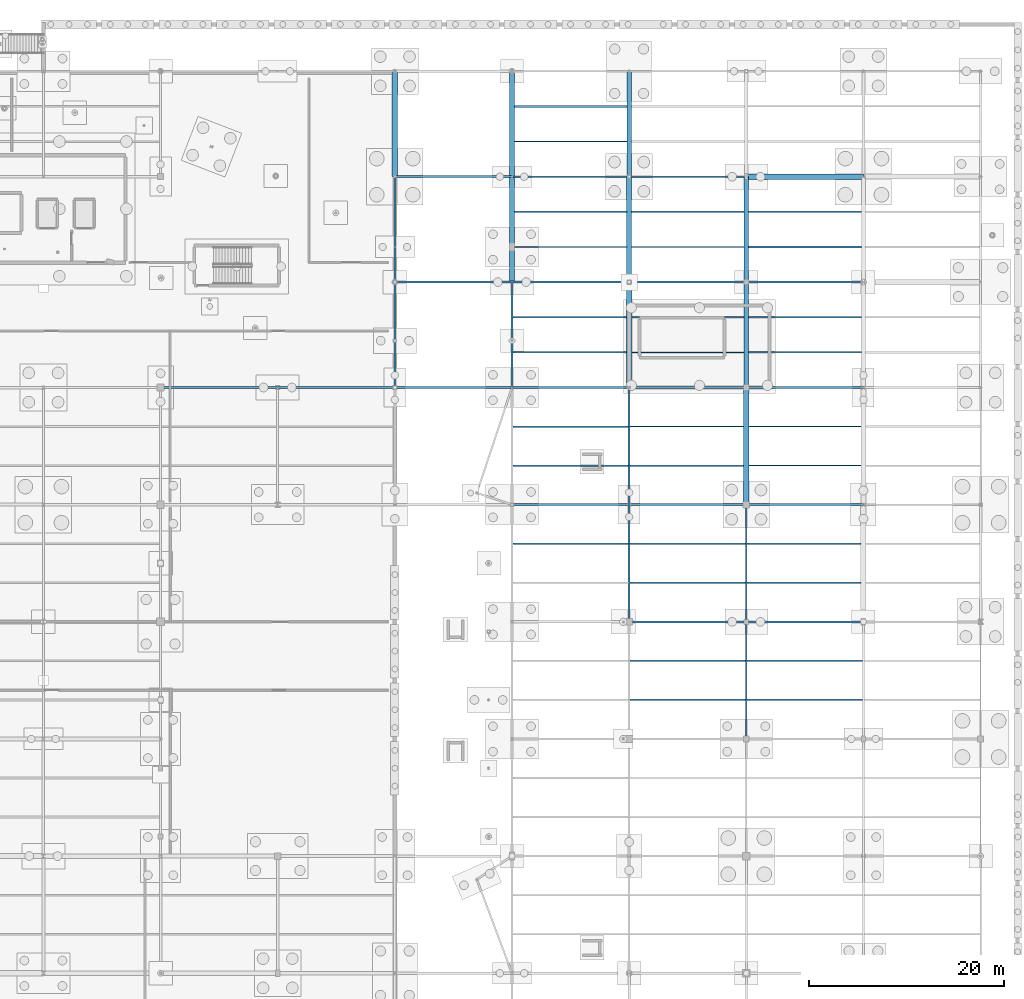
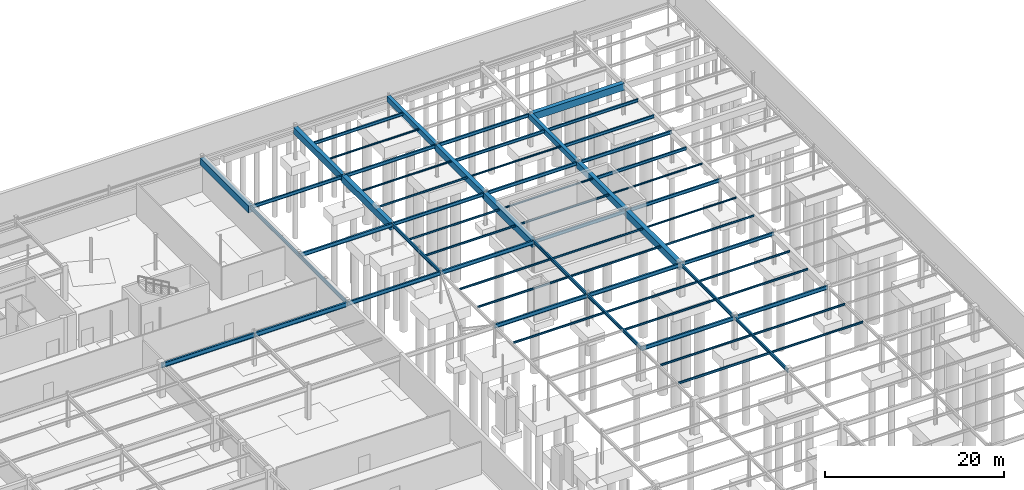
# One storey, part 86 of 136: 64 beams.
"""IFC4 building model written with IfcOpenShell, lengths in metres."""

from ifc_helpers import new_model, si_unit, direction, frame, origin, origin_2d, place, context, subcontext, project, spatial, rectangle, i_section, extrude, material, material_profile, profile_set, type_object, element, save


model = new_model("IFC4")

# Units and contexts
model_context = context("Model", 3, precision=1e-05, world=origin(), true_north=direction((0.0, 1.0)))
body_context = subcontext(model_context, "Body", "Model", "MODEL_VIEW")
ifc_project = project(units=[si_unit("LENGTHUNIT", "METRE"), si_unit("AREAUNIT", "SQUARE_METRE"), si_unit("VOLUMEUNIT", "CUBIC_METRE"), si_unit("PLANEANGLEUNIT", "RADIAN"), si_unit("MASSUNIT", "GRAM", prefix="KILO")], contexts=[model_context])

# Site, building, storey
site_placement = place(None, origin())
site = spatial("IfcSite", under=ifc_project, at=site_placement, CompositionType="ELEMENT")
building_placement = place(site_placement, origin())
building = spatial("IfcBuilding", under=site, at=building_placement, Name="Tarnwether General Hospital", CompositionType="ELEMENT")
storey_placement = place(building_placement, frame((0.0, 0.0, -4.800048828125)))
storey = spatial("IfcBuildingStorey", under=building, at=storey_placement, Name="LG", CompositionType="ELEMENT", Elevation=-4.800048828125)

# Beams
ifc_material_1 = material(Name="Steel Grade 350 (350 MPa)", Category="steel")
ifc_material_profile_1 = material_profile(ifc_material_1, i_section(OverallWidth=0.22802734375, OverallDepth=0.60693359375, WebThickness=0.01123046875, FlangeThickness=0.017333984375, at=origin_2d()), Name="610UB113")
ifc_profile_set_1 = profile_set([ifc_material_profile_1], Name="Steel Grade 350 (350 MPa)")
beam_type_1 = type_object("IfcBeamType", Name="BM-G04", PredefinedType="BEAM", material=ifc_profile_set_1)
beam_1_placement = place(storey_placement, frame((108.0, 93.60009765625, 4.12646484375), z_axis=(1.0, 0.0, 0.0), x_axis=(0.0, 1.0, 0.0)))
element("IfcBeam", 1, at=beam_1_placement, inside=storey, type_object=beam_type_1, Name="Primary Girder BMG-LG-10800_9360-12000_9360-0202", PredefinedType="BEAM", context=body_context, shape_type="SweptSolid", body=[
    extrude(i_section(OverallWidth=0.22802734375, OverallDepth=0.60693359375, WebThickness=0.01123046875, FlangeThickness=0.017333984375, at=origin_2d()), origin(), (0.0, 0.0, 1.0), 12.0),
])
ifc_material_2 = material(Name="Steel Grade 350 (350 MPa)", Category="steel")
ifc_material_profile_2 = material_profile(ifc_material_2, i_section(OverallWidth=0.22802734375, OverallDepth=0.60205078125, WebThickness=0.010498046875, FlangeThickness=0.014892578125, at=origin_2d()), Name="610UB101")
ifc_profile_set_2 = profile_set([ifc_material_profile_2], Name="Steel Grade 350 (350 MPa)")
beam_type_2 = type_object("IfcBeamType", Name="BM-G05", PredefinedType="BEAM", material=ifc_profile_set_2)
beam_2_placement = place(storey_placement, frame((120.0, 93.60009765625, 4.119140625), z_axis=(1.0, 0.0, 0.0), x_axis=(0.0, 1.0, 0.0)))
element("IfcBeam", 2, at=beam_2_placement, inside=storey, type_object=beam_type_2, Name="Primary Girder BMG-LG-12000_9360-13200_9360-0211", PredefinedType="BEAM", context=body_context, shape_type="SweptSolid", body=[
    extrude(i_section(OverallWidth=0.22802734375, OverallDepth=0.60205078125, WebThickness=0.010498046875, FlangeThickness=0.014892578125, at=origin_2d()), origin(), (0.0, 0.0, 1.0), 12.0),
])
ifc_material_3 = material(Name="Steel Grade 350 (350 MPa)", Category="steel")
ifc_material_profile_3 = material_profile(ifc_material_3, i_section(OverallWidth=0.208984375, OverallDepth=0.532958984375, WebThickness=0.01025390625, FlangeThickness=0.015625, at=origin_2d()), Name="530UB92.4")
ifc_profile_set_3 = profile_set([ifc_material_profile_3], Name="Steel Grade 350 (350 MPa)")
beam_type_3 = type_object("IfcBeamType", Name="BM-G06", PredefinedType="BEAM", material=ifc_profile_set_3)
for number, where, z_axis, x_axis, name in (
    (3, (132.0, 93.60009765625, 4.153564453125), (1.0, 0.0, 0.0), (0.0, 1.0, 0.0), "Primary Girder BMG-LG-13200_9360-14400_9360-0224"),
    (4, (144.0, 81.60009765625, 4.153564453125), (1.0, 0.0, 0.0), (0.0, 1.0, 0.0), "Primary Girder BMG-LG-14400_8160-15600_8160-0245"),
    (5, (156.0, 69.60009765625, 4.173583984375), (1.0, 0.0, 0.0), (0.0, 1.0, 0.0), "Primary Girder BMG-LG-15600_6960-16800_6960-0266"),
):
    element("IfcBeam", number, at=place(storey_placement, frame(where, z_axis=z_axis, x_axis=x_axis)), inside=storey, type_object=beam_type_3, Name=name, PredefinedType="BEAM", context=body_context, shape_type="SweptSolid", body=[
        extrude(i_section(OverallWidth=0.208984375, OverallDepth=0.532958984375, WebThickness=0.01025390625, FlangeThickness=0.015625, at=origin_2d()), origin(), (0.0, 0.0, 1.0), 12.0),
    ])
ifc_material_4 = material(Name="Steel Grade 350 (350 MPa)", Category="steel")
ifc_material_profile_4 = material_profile(ifc_material_4, i_section(OverallWidth=0.208984375, OverallDepth=0.528076171875, WebThickness=0.009521484375, FlangeThickness=0.01318359375, at=origin_2d()), Name="530UB82.0")
ifc_profile_set_4 = profile_set([ifc_material_profile_4], Name="Steel Grade 350 (350 MPa)")
beam_type_4 = type_object("IfcBeamType", Name="BM-G07", PredefinedType="BEAM", material=ifc_profile_set_4)
for number, where, z_axis, x_axis, name in (
    (6, (132.0, 104.39990234375, 4.156005859375), (1.0, 0.0, 0.0), (0.0, 1.0, 0.0), "Primary Girder BMG-LG-13200_10440-14400_10440-0226"),
    (7, (144.0, 93.60009765625, 4.156005859375), (1.0, 0.0, 0.0), (0.0, 1.0, 0.0), "Primary Girder BMG-LG-14400_9360-15600_9360-0247"),
    (8, (156.0, 81.60009765625, 4.156005859375), (1.0, 0.0, 0.0), (0.0, 1.0, 0.0), "Primary Girder BMG-LG-15600_8160-16800_8160-0268"),
    (9, (168.0, 69.60009765625, 4.176025390625), (1.0, 0.0, 0.0), (0.0, 1.0, 0.0), "Primary Girder BMG-LG-16800_6960-18000_6960-0289"),
):
    element("IfcBeam", number, at=place(storey_placement, frame(where, z_axis=z_axis, x_axis=x_axis)), inside=storey, type_object=beam_type_4, Name=name, PredefinedType="BEAM", context=body_context, shape_type="SweptSolid", body=[
        extrude(i_section(OverallWidth=0.208984375, OverallDepth=0.528076171875, WebThickness=0.009521484375, FlangeThickness=0.01318359375, at=origin_2d()), origin(), (0.0, 0.0, 1.0), 12.0),
    ])
ifc_material_5 = material(Name="Steel Grade 350 (350 MPa)", Category="steel")
ifc_material_profile_5 = material_profile(ifc_material_5, i_section(OverallWidth=0.19091796875, OverallDepth=0.4599609375, WebThickness=0.010009765625, FlangeThickness=0.01611328125, at=origin_2d()), Name="460UB82.1")
ifc_profile_set_5 = profile_set([ifc_material_profile_5], Name="Steel Grade 350 (350 MPa)")
beam_type_5 = type_object("IfcBeamType", Name="BM-G08", PredefinedType="BEAM", material=ifc_profile_set_5)
for number, where, z_axis, x_axis, name in (
    (10, (132.0, 115.199951171875, 4.18994140625), (1.0, 0.0, 0.0), (0.0, 1.0, 0.0), "Primary Girder BMG-LG-13200_11520-14400_11520-0228"),
    (11, (144.0, 104.39990234375, 4.18994140625), (1.0, 0.0, 0.0), (0.0, 1.0, 0.0), "Primary Girder BMG-LG-14400_10440-15600_10440-0249"),
    (12, (156.0, 93.60009765625, 4.18994140625), (1.0, 0.0, 0.0), (0.0, 1.0, 0.0), "Primary Girder BMG-LG-15600_9360-16800_9360-0270"),
    (13, (168.0, 81.60009765625, 4.18994140625), (1.0, 0.0, 0.0), (0.0, 1.0, 0.0), "Primary Girder BMG-LG-16800_8160-18000_8160-0291"),
):
    element("IfcBeam", number, at=place(storey_placement, frame(where, z_axis=z_axis, x_axis=x_axis)), inside=storey, type_object=beam_type_5, Name=name, PredefinedType="BEAM", context=body_context, shape_type="SweptSolid", body=[
        extrude(i_section(OverallWidth=0.19091796875, OverallDepth=0.4599609375, WebThickness=0.010009765625, FlangeThickness=0.01611328125, at=origin_2d()), origin(), (0.0, 0.0, 1.0), 12.0),
    ])
ifc_material_6 = material(Name="Steel Grade 350 (350 MPa)", Category="steel")
ifc_material_profile_6 = material_profile(ifc_material_6, i_section(OverallWidth=0.18994140625, OverallDepth=0.45703125, WebThickness=0.009033203125, FlangeThickness=0.014404296875, at=origin_2d()), Name="460UB74.6")
ifc_profile_set_6 = profile_set([ifc_material_profile_6], Name="Steel Grade 350 (350 MPa)")
beam_type_6 = type_object("IfcBeamType", Name="BM-G09", PredefinedType="BEAM", material=ifc_profile_set_6)
beam_3_placement = place(storey_placement, frame((132.0, 93.60009765625, 4.191650390625), z_axis=(0.0, 1.0, 0.0), x_axis=(-1.0, 0.0, 0.0)))
element("IfcBeam", 14, at=beam_3_placement, inside=storey, type_object=beam_type_6, Name="Primary Girder BMG-LG-13200_9360-13200_10440-0225", PredefinedType="BEAM", context=body_context, shape_type="SweptSolid", body=[
    extrude(i_section(OverallWidth=0.18994140625, OverallDepth=0.45703125, WebThickness=0.009033203125, FlangeThickness=0.014404296875, at=origin_2d()), origin(), (0.0, 0.0, 1.0), 10.7998046875),
])
for number, where, z_axis, x_axis, name in (
    (15, (144.0, 115.199951171875, 4.191650390625), (1.0, 0.0, 0.0), (0.0, 1.0, 0.0), "Primary Girder BMG-LG-14400_11520-15600_11520-0251"),
    (16, (156.0, 69.60009765625, 4.191650390625), (0.0, 1.0, 0.0), (-1.0, 0.0, 0.0), "Primary Girder BMG-LG-15600_6960-15600_8160-0267"),
    (17, (156.0, 104.39990234375, 4.191650390625), (1.0, 0.0, 0.0), (0.0, 1.0, 0.0), "Primary Girder BMG-LG-15600_10440-16800_10440-0272"),
    (18, (168.0, 57.60009765625, 4.211669921875), (0.0, 1.0, 0.0), (-1.0, 0.0, 0.0), "Primary Girder BMG-LG-16800_5760-16800_6960-0288"),
    (19, (168.0, 93.60009765625, 4.191650390625), (1.0, 0.0, 0.0), (0.0, 1.0, 0.0), "Primary Girder BMG-LG-16800_9360-18000_9360-0293"),
):
    element("IfcBeam", number, at=place(storey_placement, frame(where, z_axis=z_axis, x_axis=x_axis)), inside=storey, type_object=beam_type_6, Name=name, PredefinedType="BEAM", context=body_context, shape_type="SweptSolid", body=[
        extrude(i_section(OverallWidth=0.18994140625, OverallDepth=0.45703125, WebThickness=0.009033203125, FlangeThickness=0.014404296875, at=origin_2d()), origin(), (0.0, 0.0, 1.0), 12.0),
    ])
ifc_material_7 = material(Name="Steel Grade 350 (350 MPa)", Category="steel")
ifc_material_profile_7 = material_profile(ifc_material_7, i_section(OverallWidth=0.18994140625, OverallDepth=0.4541015625, WebThickness=0.008544921875, FlangeThickness=0.0126953125, at=origin_2d()), Name="460UB67.1")
ifc_profile_set_7 = profile_set([ifc_material_profile_7], Name="Steel Grade 350 (350 MPa)")
beam_type_7 = type_object("IfcBeamType", Name="BM-G10", PredefinedType="BEAM", material=ifc_profile_set_7)
beam_4_placement = place(storey_placement, frame((132.0, 104.39990234375, 4.193115234375), z_axis=(0.0, 1.0, 0.0), x_axis=(-1.0, 0.0, 0.0)))
element("IfcBeam", 20, at=beam_4_placement, inside=storey, type_object=beam_type_7, Name="Primary Girder BMG-LG-13200_10440-13200_11520-0227", PredefinedType="BEAM", context=body_context, shape_type="SweptSolid", body=[
    extrude(i_section(OverallWidth=0.18994140625, OverallDepth=0.4541015625, WebThickness=0.008544921875, FlangeThickness=0.0126953125, at=origin_2d()), origin(), (0.0, 0.0, 1.0), 10.800048828125),
])
beam_5_placement = place(storey_placement, frame((144.0, 93.60009765625, 4.193115234375), z_axis=(0.0, 1.0, 0.0), x_axis=(-1.0, 0.0, 0.0)))
element("IfcBeam", 21, at=beam_5_placement, inside=storey, type_object=beam_type_7, Name="Primary Girder BMG-LG-14400_9360-14400_10440-0248", PredefinedType="BEAM", context=body_context, shape_type="SweptSolid", body=[
    extrude(i_section(OverallWidth=0.18994140625, OverallDepth=0.4541015625, WebThickness=0.008544921875, FlangeThickness=0.0126953125, at=origin_2d()), origin(), (0.0, 0.0, 1.0), 10.7998046875),
])
for number, where, z_axis, x_axis, name in (
    (22, (156.0, 81.60009765625, 4.193115234375), (0.0, 1.0, 0.0), (-1.0, 0.0, 0.0), "Primary Girder BMG-LG-15600_8160-15600_9360-0269"),
    (23, (156.0, 115.199951171875, 4.193115234375), (1.0, 0.0, 0.0), (0.0, 1.0, 0.0), "Primary Girder BMG-LG-15600_11520-16800_11520-0274"),
    (24, (168.0, 69.60009765625, 4.193115234375), (0.0, 1.0, 0.0), (-1.0, 0.0, 0.0), "Primary Girder BMG-LG-16800_6960-16800_8160-0290"),
    (25, (168.0, 104.39990234375, 4.193115234375), (1.0, 0.0, 0.0), (0.0, 1.0, 0.0), "Primary Girder BMG-LG-16800_10440-18000_10440-0295"),
):
    element("IfcBeam", number, at=place(storey_placement, frame(where, z_axis=z_axis, x_axis=x_axis)), inside=storey, type_object=beam_type_7, Name=name, PredefinedType="BEAM", context=body_context, shape_type="SweptSolid", body=[
        extrude(i_section(OverallWidth=0.18994140625, OverallDepth=0.4541015625, WebThickness=0.008544921875, FlangeThickness=0.0126953125, at=origin_2d()), origin(), (0.0, 0.0, 1.0), 12.0),
    ])
ifc_material_8 = material(Name="Concrete 40 MPa", Category="concrete")
ifc_material_profile_8 = material_profile(ifc_material_8, rectangle(XDim=0.550048828125, YDim=0.949951171875, at=origin_2d()), Name="RC-BM-550x950")
ifc_profile_set_8 = profile_set([ifc_material_profile_8], Name="Concrete 40 MPa")
beam_type_8 = type_object("IfcBeamType", Name="BM-G11", PredefinedType="BEAM", material=ifc_profile_set_8)
for number, where, z_axis, x_axis, name in (
    (26, (132.0, 115.199951171875, 3.945068359375), (0.0, 1.0, 0.0), (-1.0, 0.0, 0.0), "Primary Girder BMG-LG-13200_11520-13200_12600-0229"),
    (27, (144.0, 104.39990234375, 3.945068359375), (0.0, 1.0, 0.0), (-1.0, 0.0, 0.0), "Primary Girder BMG-LG-14400_10440-14400_11520-0250"),
):
    element("IfcBeam", number, at=place(storey_placement, frame(where, z_axis=z_axis, x_axis=x_axis)), inside=storey, type_object=beam_type_8, Name=name, PredefinedType="BEAM", context=body_context, shape_type="SweptSolid", body=[
        extrude(rectangle(XDim=0.550048828125, YDim=0.949951171875, at=origin_2d()), origin(), (0.0, 0.0, 1.0), 10.800048828125),
    ])
beam_6_placement = place(storey_placement, frame((156.0, 93.60009765625, 3.945068359375), z_axis=(0.0, 1.0, 0.0), x_axis=(-1.0, 0.0, 0.0)))
element("IfcBeam", 28, at=beam_6_placement, inside=storey, type_object=beam_type_8, Name="Primary Girder BMG-LG-15600_9360-15600_10440-0271", PredefinedType="BEAM", context=body_context, shape_type="SweptSolid", body=[
    extrude(rectangle(XDim=0.550048828125, YDim=0.949951171875, at=origin_2d()), origin(), (0.0, 0.0, 1.0), 10.7998046875),
])
for number, where, z_axis, x_axis, name in (
    (29, (168.0, 81.60009765625, 3.945068359375), (0.0, 1.0, 0.0), (-1.0, 0.0, 0.0), "Primary Girder BMG-LG-16800_8160-16800_9360-0292"),
    (30, (168.0, 115.199951171875, 3.945068359375), (1.0, 0.0, 0.0), (0.0, 1.0, 0.0), "Primary Girder BMG-LG-16800_11520-18000_11520-0297"),
):
    element("IfcBeam", number, at=place(storey_placement, frame(where, z_axis=z_axis, x_axis=x_axis)), inside=storey, type_object=beam_type_8, Name=name, PredefinedType="BEAM", context=body_context, shape_type="SweptSolid", body=[
        extrude(rectangle(XDim=0.550048828125, YDim=0.949951171875, at=origin_2d()), origin(), (0.0, 0.0, 1.0), 12.0),
    ])
ifc_material_9 = material(Name="Concrete 40 MPa", Category="concrete")
ifc_material_profile_9 = material_profile(ifc_material_9, rectangle(XDim=0.5, YDim=0.89990234375, at=origin_2d()), Name="RC-BM-500x900")
ifc_profile_set_9 = profile_set([ifc_material_profile_9], Name="Concrete 40 MPa")
beam_type_9 = type_object("IfcBeamType", Name="BM-G12", PredefinedType="BEAM", material=ifc_profile_set_9)
for number, where, z_axis, x_axis, name in (
    (31, (144.0, 115.199951171875, 3.969970703125), (0.0, 1.0, 0.0), (-1.0, 0.0, 0.0), "Primary Girder BMG-LG-14400_11520-14400_12600-0252"),
    (32, (156.0, 104.39990234375, 3.969970703125), (0.0, 1.0, 0.0), (-1.0, 0.0, 0.0), "Primary Girder BMG-LG-15600_10440-15600_11520-0273"),
):
    element("IfcBeam", number, at=place(storey_placement, frame(where, z_axis=z_axis, x_axis=x_axis)), inside=storey, type_object=beam_type_9, Name=name, PredefinedType="BEAM", context=body_context, shape_type="SweptSolid", body=[
        extrude(rectangle(XDim=0.5, YDim=0.89990234375, at=origin_2d()), origin(), (0.0, 0.0, 1.0), 10.800048828125),
    ])
beam_7_placement = place(storey_placement, frame((168.0, 93.60009765625, 3.969970703125), z_axis=(0.0, 1.0, 0.0), x_axis=(-1.0, 0.0, 0.0)))
element("IfcBeam", 33, at=beam_7_placement, inside=storey, type_object=beam_type_9, Name="Primary Girder BMG-LG-16800_9360-16800_10440-0294", PredefinedType="BEAM", context=body_context, shape_type="SweptSolid", body=[
    extrude(rectangle(XDim=0.5, YDim=0.89990234375, at=origin_2d()), origin(), (0.0, 0.0, 1.0), 10.7998046875),
])
ifc_material_10 = material(Name="Concrete 40 MPa", Category="concrete")
ifc_material_profile_10 = material_profile(ifc_material_10, rectangle(XDim=0.449951171875, YDim=0.75, at=origin_2d()), Name="RC-BM-450x750")
ifc_profile_set_10 = profile_set([ifc_material_profile_10], Name="Concrete 40 MPa")
beam_type_10 = type_object("IfcBeamType", Name="BM-G13", PredefinedType="BEAM", material=ifc_profile_set_10)
for number, where, z_axis, x_axis, name in (
    (34, (156.0, 115.199951171875, 4.045166015625), (0.0, 1.0, 0.0), (-1.0, 0.0, 0.0), "Primary Girder BMG-LG-15600_11520-15600_12600-0275"),
    (35, (168.0, 104.39990234375, 4.045166015625), (0.0, 1.0, 0.0), (-1.0, 0.0, 0.0), "Primary Girder BMG-LG-16800_10440-16800_11520-0296"),
):
    element("IfcBeam", number, at=place(storey_placement, frame(where, z_axis=z_axis, x_axis=x_axis)), inside=storey, type_object=beam_type_10, Name=name, PredefinedType="BEAM", context=body_context, shape_type="SweptSolid", body=[
        extrude(rectangle(XDim=0.449951171875, YDim=0.75, at=origin_2d()), origin(), (0.0, 0.0, 1.0), 10.800048828125),
    ])
ifc_material_11 = material(Name="Steel Grade 350 (350 MPa)", Category="steel")
ifc_material_profile_11 = material_profile(ifc_material_11, i_section(OverallWidth=0.177978515625, OverallDepth=0.406005859375, WebThickness=0.0078125, FlangeThickness=0.0126953125, at=origin_2d()), Name="410UB59.7")
ifc_profile_set_11 = profile_set([ifc_material_profile_11], Name="Steel Grade 350 (350 MPa)")
beam_type_11 = type_object("IfcBeamType", Name="BM-J01", PredefinedType="JOIST", material=ifc_profile_set_11)
for number, where, z_axis, x_axis, name in (
    (36, (144.243896484375, 122.39990234375, 4.217041015625), (1.0, 0.0, 0.0), (0.0, 1.0, 0.0), "Composite Floor Joist BMG-LG-14424_12240-15578_12240-0512"),
    (37, (156.243896484375, 111.60009765625, 4.217041015625), (1.0, 0.0, 0.0), (0.0, 1.0, 0.0), "Composite Floor Joist BMG-LG-15624_11160-16778_11160-0532"),
    (38, (168.243896484375, 100.800048828125, 4.217041015625), (1.0, 0.0, 0.0), (0.0, 1.0, 0.0), "Composite Floor Joist BMG-LG-16824_10080-17978_10080-0552"),
):
    element("IfcBeam", number, at=place(storey_placement, frame(where, z_axis=z_axis, x_axis=x_axis)), inside=storey, type_object=beam_type_11, Name=name, PredefinedType="JOIST", context=body_context, shape_type="SweptSolid", body=[
        extrude(i_section(OverallWidth=0.177978515625, OverallDepth=0.406005859375, WebThickness=0.0078125, FlangeThickness=0.0126953125, at=origin_2d()), origin(), (0.0, 0.0, 1.0), 11.537109375),
    ])
beam_8_placement = place(storey_placement, frame((168.218994140625, 108.0, 4.217041015625), z_axis=(1.0, 0.0, 0.0), x_axis=(0.0, 1.0, 0.0)))
element("IfcBeam", 39, at=beam_8_placement, inside=storey, type_object=beam_type_11, Name="Composite Floor Joist BMG-LG-16822_10800-17981_10800-0553", PredefinedType="JOIST", context=body_context, shape_type="SweptSolid", body=[
    extrude(i_section(OverallWidth=0.177978515625, OverallDepth=0.406005859375, WebThickness=0.0078125, FlangeThickness=0.0126953125, at=origin_2d()), origin(), (0.0, 0.0, 1.0), 11.5869140625),
])
ifc_material_12 = material(Name="Steel Grade 350 (350 MPa)", Category="steel")
ifc_material_profile_12 = material_profile(ifc_material_12, i_section(OverallWidth=0.177978515625, OverallDepth=0.403076171875, WebThickness=0.007568359375, FlangeThickness=0.010986328125, at=origin_2d()), Name="410UB53.7")
ifc_profile_set_12 = profile_set([ifc_material_profile_12], Name="Steel Grade 350 (350 MPa)")
beam_type_12 = type_object("IfcBeamType", Name="BM-J02", PredefinedType="JOIST", material=ifc_profile_set_12)
beam_9_placement = place(storey_placement, frame((168.218994140625, 111.60009765625, 4.218505859375), z_axis=(1.0, 0.0, 0.0), x_axis=(0.0, 1.0, 0.0)))
element("IfcBeam", 40, at=beam_9_placement, inside=storey, type_object=beam_type_12, Name="Composite Floor Joist BMG-LG-16822_11160-17981_11160-0554", PredefinedType="JOIST", context=body_context, shape_type="SweptSolid", body=[
    extrude(i_section(OverallWidth=0.177978515625, OverallDepth=0.403076171875, WebThickness=0.007568359375, FlangeThickness=0.010986328125, at=origin_2d()), origin(), (0.0, 0.0, 1.0), 11.5869140625),
])
ifc_material_13 = material(Name="Steel Grade 350 (350 MPa)", Category="steel")
ifc_material_profile_13 = material_profile(ifc_material_13, i_section(OverallWidth=0.14892578125, OverallDepth=0.298095703125, WebThickness=0.005615234375, FlangeThickness=0.008056640625, at=origin_2d()), Name="310UB32.0")
ifc_profile_set_13 = profile_set([ifc_material_profile_13], Name="Steel Grade 350 (350 MPa)")
beam_type_13 = type_object("IfcBeamType", Name="BM-J08", PredefinedType="JOIST", material=ifc_profile_set_13)
beam_10_placement = place(storey_placement, frame((156.089111328125, 61.60009765625, 4.291015625), z_axis=(1.0, 0.0, 0.0), x_axis=(0.0, 1.0, 0.0)))
element("IfcBeam", 41, at=beam_10_placement, inside=storey, type_object=beam_type_13, Name="Composite Floor Joist BMG-LG-15609_6160-16791_6160-0523", PredefinedType="JOIST", context=body_context, shape_type="SweptSolid", body=[
    extrude(i_section(OverallWidth=0.14892578125, OverallDepth=0.298095703125, WebThickness=0.005615234375, FlangeThickness=0.008056640625, at=origin_2d()), origin(), (0.0, 0.0, 1.0), 11.82177734375),
])
ifc_material_14 = material(Name="Steel Grade 350 (350 MPa)", Category="steel")
ifc_material_profile_14 = material_profile(ifc_material_14, i_section(OverallWidth=0.14599609375, OverallDepth=0.256103515625, WebThickness=0.00634765625, FlangeThickness=0.010986328125, at=origin_2d()), Name="250UB37.3")
ifc_profile_set_14 = profile_set([ifc_material_profile_14], Name="Steel Grade 350 (350 MPa)")
beam_type_14 = type_object("IfcBeamType", Name="BM-J09", PredefinedType="JOIST", material=ifc_profile_set_14)
for number, where, z_axis, x_axis, name in (
    (42, (144.089111328125, 77.60009765625, 4.2919921875), (1.0, 0.0, 0.0), (0.0, 1.0, 0.0), "Composite Floor Joist BMG-LG-14409_7760-15591_7760-0504"),
    (43, (144.089111328125, 85.60009765625, 4.2919921875), (1.0, 0.0, 0.0), (0.0, 1.0, 0.0), "Composite Floor Joist BMG-LG-14409_8560-15591_8560-0505"),
    (44, (156.089111328125, 65.60009765625, 4.31201171875), (1.0, 0.0, 0.0), (0.0, 1.0, 0.0), "Composite Floor Joist BMG-LG-15609_6560-16791_6560-0524"),
    (45, (156.089111328125, 73.60009765625, 4.2919921875), (1.0, 0.0, 0.0), (0.0, 1.0, 0.0), "Composite Floor Joist BMG-LG-15609_7360-16791_7360-0525"),
    (46, (168.089111328125, 61.60009765625, 4.31201171875), (1.0, 0.0, 0.0), (0.0, 1.0, 0.0), "Composite Floor Joist BMG-LG-16809_6160-17991_6160-0545"),
):
    element("IfcBeam", number, at=place(storey_placement, frame(where, z_axis=z_axis, x_axis=x_axis)), inside=storey, type_object=beam_type_14, Name=name, PredefinedType="JOIST", context=body_context, shape_type="SweptSolid", body=[
        extrude(i_section(OverallWidth=0.14599609375, OverallDepth=0.256103515625, WebThickness=0.00634765625, FlangeThickness=0.010986328125, at=origin_2d()), origin(), (0.0, 0.0, 1.0), 11.82177734375),
    ])
ifc_material_15 = material(Name="Steel Grade 350 (350 MPa)", Category="steel")
ifc_material_profile_15 = material_profile(ifc_material_15, i_section(OverallWidth=0.14599609375, OverallDepth=0.251953125, WebThickness=0.006103515625, FlangeThickness=0.008544921875, at=origin_2d()), Name="250UB31.4")
ifc_profile_set_15 = profile_set([ifc_material_profile_15], Name="Steel Grade 350 (350 MPa)")
beam_type_15 = type_object("IfcBeamType", Name="BM-J10", PredefinedType="JOIST", material=ifc_profile_set_15)
beam_11_placement = place(storey_placement, frame((144.089111328125, 89.60009765625, 4.2939453125), z_axis=(1.0, 0.0, 0.0), x_axis=(0.0, 1.0, 0.0)))
element("IfcBeam", 47, at=beam_11_placement, inside=storey, type_object=beam_type_15, Name="Composite Floor Joist BMG-LG-14409_8960-15591_8960-0506", PredefinedType="JOIST", context=body_context, shape_type="SweptSolid", body=[
    extrude(i_section(OverallWidth=0.14599609375, OverallDepth=0.251953125, WebThickness=0.006103515625, FlangeThickness=0.008544921875, at=origin_2d()), origin(), (0.0, 0.0, 1.0), 11.82177734375),
])
beam_12_placement = place(storey_placement, frame((144.089111328125, 97.199951171875, 4.2939453125), z_axis=(1.0, 0.0, 0.0), x_axis=(0.0, 1.0, 0.0)))
element("IfcBeam", 48, at=beam_12_placement, inside=storey, type_object=beam_type_15, Name="Composite Floor Joist BMG-LG-14409_9720-15573_9720-0507", PredefinedType="JOIST", context=body_context, shape_type="SweptSolid", body=[
    extrude(i_section(OverallWidth=0.14599609375, OverallDepth=0.251953125, WebThickness=0.006103515625, FlangeThickness=0.008544921875, at=origin_2d()), origin(), (0.0, 0.0, 1.0), 11.641845703125),
])
beam_13_placement = place(storey_placement, frame((156.089111328125, 77.60009765625, 4.2939453125), z_axis=(1.0, 0.0, 0.0), x_axis=(0.0, 1.0, 0.0)))
element("IfcBeam", 49, at=beam_13_placement, inside=storey, type_object=beam_type_15, Name="Composite Floor Joist BMG-LG-15609_7760-16791_7760-0526", PredefinedType="JOIST", context=body_context, shape_type="SweptSolid", body=[
    extrude(i_section(OverallWidth=0.14599609375, OverallDepth=0.251953125, WebThickness=0.006103515625, FlangeThickness=0.008544921875, at=origin_2d()), origin(), (0.0, 0.0, 1.0), 11.82177734375),
])
beam_14_placement = place(storey_placement, frame((156.089111328125, 85.60009765625, 4.2939453125), z_axis=(1.0, 0.0, 0.0), x_axis=(0.0, 1.0, 0.0)))
element("IfcBeam", 50, at=beam_14_placement, inside=storey, type_object=beam_type_15, Name="Composite Floor Joist BMG-LG-15609_8560-16773_8560-0527", PredefinedType="JOIST", context=body_context, shape_type="SweptSolid", body=[
    extrude(i_section(OverallWidth=0.14599609375, OverallDepth=0.251953125, WebThickness=0.006103515625, FlangeThickness=0.008544921875, at=origin_2d()), origin(), (0.0, 0.0, 1.0), 11.641845703125),
])
beam_15_placement = place(storey_placement, frame((168.089111328125, 65.60009765625, 4.31396484375), z_axis=(1.0, 0.0, 0.0), x_axis=(0.0, 1.0, 0.0)))
element("IfcBeam", 51, at=beam_15_placement, inside=storey, type_object=beam_type_15, Name="Composite Floor Joist BMG-LG-16809_6560-17991_6560-0546", PredefinedType="JOIST", context=body_context, shape_type="SweptSolid", body=[
    extrude(i_section(OverallWidth=0.14599609375, OverallDepth=0.251953125, WebThickness=0.006103515625, FlangeThickness=0.008544921875, at=origin_2d()), origin(), (0.0, 0.0, 1.0), 11.82177734375),
])
beam_16_placement = place(storey_placement, frame((168.089111328125, 73.60009765625, 4.2939453125), z_axis=(1.0, 0.0, 0.0), x_axis=(0.0, 1.0, 0.0)))
element("IfcBeam", 52, at=beam_16_placement, inside=storey, type_object=beam_type_15, Name="Composite Floor Joist BMG-LG-16809_7360-17973_7360-0547", PredefinedType="JOIST", context=body_context, shape_type="SweptSolid", body=[
    extrude(i_section(OverallWidth=0.14599609375, OverallDepth=0.251953125, WebThickness=0.006103515625, FlangeThickness=0.008544921875, at=origin_2d()), origin(), (0.0, 0.0, 1.0), 11.641845703125),
])
ifc_material_16 = material(Name="Steel Grade 350 (350 MPa)", Category="steel")
ifc_material_profile_16 = material_profile(ifc_material_16, i_section(OverallWidth=0.1240234375, OverallDepth=0.248046875, WebThickness=0.0048828125, FlangeThickness=0.008056640625, at=origin_2d()), Name="250UB25.7")
ifc_profile_set_16 = profile_set([ifc_material_profile_16], Name="Steel Grade 350 (350 MPa)")
beam_type_16 = type_object("IfcBeamType", Name="BM-J11", PredefinedType="JOIST", material=ifc_profile_set_16)
beam_17_placement = place(storey_placement, frame((144.089111328125, 100.800048828125, 4.296142578125), z_axis=(1.0, 0.0, 0.0), x_axis=(0.0, 1.0, 0.0)))
element("IfcBeam", 53, at=beam_17_placement, inside=storey, type_object=beam_type_16, Name="Composite Floor Joist BMG-LG-14409_10080-15573_10080-0508", PredefinedType="JOIST", context=body_context, shape_type="SweptSolid", body=[
    extrude(i_section(OverallWidth=0.1240234375, OverallDepth=0.248046875, WebThickness=0.0048828125, FlangeThickness=0.008056640625, at=origin_2d()), origin(), (0.0, 0.0, 1.0), 11.641845703125),
])
beam_18_placement = place(storey_placement, frame((144.26904296875, 108.0, 4.296142578125), z_axis=(1.0, 0.0, 0.0), x_axis=(0.0, 1.0, 0.0)))
element("IfcBeam", 54, at=beam_18_placement, inside=storey, type_object=beam_type_16, Name="Composite Floor Joist BMG-LG-14427_10800-15576_10800-0509", PredefinedType="JOIST", context=body_context, shape_type="SweptSolid", body=[
    extrude(i_section(OverallWidth=0.1240234375, OverallDepth=0.248046875, WebThickness=0.0048828125, FlangeThickness=0.008056640625, at=origin_2d()), origin(), (0.0, 0.0, 1.0), 11.487060546875),
])
beam_19_placement = place(storey_placement, frame((156.089111328125, 89.60009765625, 4.296142578125), z_axis=(1.0, 0.0, 0.0), x_axis=(0.0, 1.0, 0.0)))
element("IfcBeam", 55, at=beam_19_placement, inside=storey, type_object=beam_type_16, Name="Composite Floor Joist BMG-LG-15609_8960-16773_8960-0528", PredefinedType="JOIST", context=body_context, shape_type="SweptSolid", body=[
    extrude(i_section(OverallWidth=0.1240234375, OverallDepth=0.248046875, WebThickness=0.0048828125, FlangeThickness=0.008056640625, at=origin_2d()), origin(), (0.0, 0.0, 1.0), 11.641845703125),
])
beam_20_placement = place(storey_placement, frame((156.26904296875, 97.199951171875, 4.296142578125), z_axis=(1.0, 0.0, 0.0), x_axis=(0.0, 1.0, 0.0)))
element("IfcBeam", 56, at=beam_20_placement, inside=storey, type_object=beam_type_16, Name="Composite Floor Joist BMG-LG-15627_9720-16776_9720-0529", PredefinedType="JOIST", context=body_context, shape_type="SweptSolid", body=[
    extrude(i_section(OverallWidth=0.1240234375, OverallDepth=0.248046875, WebThickness=0.0048828125, FlangeThickness=0.008056640625, at=origin_2d()), origin(), (0.0, 0.0, 1.0), 11.487060546875),
])
beam_21_placement = place(storey_placement, frame((168.089111328125, 77.60009765625, 4.296142578125), z_axis=(1.0, 0.0, 0.0), x_axis=(0.0, 1.0, 0.0)))
element("IfcBeam", 57, at=beam_21_placement, inside=storey, type_object=beam_type_16, Name="Composite Floor Joist BMG-LG-16809_7760-17973_7760-0548", PredefinedType="JOIST", context=body_context, shape_type="SweptSolid", body=[
    extrude(i_section(OverallWidth=0.1240234375, OverallDepth=0.248046875, WebThickness=0.0048828125, FlangeThickness=0.008056640625, at=origin_2d()), origin(), (0.0, 0.0, 1.0), 11.641845703125),
])
beam_22_placement = place(storey_placement, frame((168.26904296875, 85.60009765625, 4.296142578125), z_axis=(1.0, 0.0, 0.0), x_axis=(0.0, 1.0, 0.0)))
element("IfcBeam", 58, at=beam_22_placement, inside=storey, type_object=beam_type_16, Name="Composite Floor Joist BMG-LG-16827_8560-17976_8560-0549", PredefinedType="JOIST", context=body_context, shape_type="SweptSolid", body=[
    extrude(i_section(OverallWidth=0.1240234375, OverallDepth=0.248046875, WebThickness=0.0048828125, FlangeThickness=0.008056640625, at=origin_2d()), origin(), (0.0, 0.0, 1.0), 11.487060546875),
])
ifc_material_17 = material(Name="Steel Grade 350 (350 MPa)", Category="steel")
ifc_material_profile_17 = material_profile(ifc_material_17, i_section(OverallWidth=0.134033203125, OverallDepth=0.20703125, WebThickness=0.00634765625, FlangeThickness=0.009521484375, at=origin_2d()), Name="200UB29.8")
ifc_profile_set_17 = profile_set([ifc_material_profile_17], Name="Steel Grade 350 (350 MPa)")
beam_type_17 = type_object("IfcBeamType", Name="BM-J12", PredefinedType="JOIST", material=ifc_profile_set_17)
beam_23_placement = place(storey_placement, frame((144.26904296875, 111.60009765625, 4.316650390625), z_axis=(1.0, 0.0, 0.0), x_axis=(0.0, 1.0, 0.0)))
element("IfcBeam", 59, at=beam_23_placement, inside=storey, type_object=beam_type_17, Name="Composite Floor Joist BMG-LG-14427_11160-15576_11160-0510", PredefinedType="JOIST", context=body_context, shape_type="SweptSolid", body=[
    extrude(i_section(OverallWidth=0.134033203125, OverallDepth=0.20703125, WebThickness=0.00634765625, FlangeThickness=0.009521484375, at=origin_2d()), origin(), (0.0, 0.0, 1.0), 11.487060546875),
])
beam_24_placement = place(storey_placement, frame((144.243896484375, 118.800048828125, 4.316650390625), z_axis=(1.0, 0.0, 0.0), x_axis=(0.0, 1.0, 0.0)))
element("IfcBeam", 60, at=beam_24_placement, inside=storey, type_object=beam_type_17, Name="Composite Floor Joist BMG-LG-14424_11880-15578_11880-0511", PredefinedType="JOIST", context=body_context, shape_type="SweptSolid", body=[
    extrude(i_section(OverallWidth=0.134033203125, OverallDepth=0.20703125, WebThickness=0.00634765625, FlangeThickness=0.009521484375, at=origin_2d()), origin(), (0.0, 0.0, 1.0), 11.537109375),
])
beam_25_placement = place(storey_placement, frame((156.26904296875, 100.800048828125, 4.316650390625), z_axis=(1.0, 0.0, 0.0), x_axis=(0.0, 1.0, 0.0)))
element("IfcBeam", 61, at=beam_25_placement, inside=storey, type_object=beam_type_17, Name="Composite Floor Joist BMG-LG-15627_10080-16776_10080-0530", PredefinedType="JOIST", context=body_context, shape_type="SweptSolid", body=[
    extrude(i_section(OverallWidth=0.134033203125, OverallDepth=0.20703125, WebThickness=0.00634765625, FlangeThickness=0.009521484375, at=origin_2d()), origin(), (0.0, 0.0, 1.0), 11.487060546875),
])
beam_26_placement = place(storey_placement, frame((156.243896484375, 108.0, 4.316650390625), z_axis=(1.0, 0.0, 0.0), x_axis=(0.0, 1.0, 0.0)))
element("IfcBeam", 62, at=beam_26_placement, inside=storey, type_object=beam_type_17, Name="Composite Floor Joist BMG-LG-15624_10800-16778_10800-0531", PredefinedType="JOIST", context=body_context, shape_type="SweptSolid", body=[
    extrude(i_section(OverallWidth=0.134033203125, OverallDepth=0.20703125, WebThickness=0.00634765625, FlangeThickness=0.009521484375, at=origin_2d()), origin(), (0.0, 0.0, 1.0), 11.537109375),
])
beam_27_placement = place(storey_placement, frame((168.26904296875, 89.60009765625, 4.316650390625), z_axis=(1.0, 0.0, 0.0), x_axis=(0.0, 1.0, 0.0)))
element("IfcBeam", 63, at=beam_27_placement, inside=storey, type_object=beam_type_17, Name="Composite Floor Joist BMG-LG-16827_8960-17976_8960-0550", PredefinedType="JOIST", context=body_context, shape_type="SweptSolid", body=[
    extrude(i_section(OverallWidth=0.134033203125, OverallDepth=0.20703125, WebThickness=0.00634765625, FlangeThickness=0.009521484375, at=origin_2d()), origin(), (0.0, 0.0, 1.0), 11.487060546875),
])
beam_28_placement = place(storey_placement, frame((168.243896484375, 97.199951171875, 4.316650390625), z_axis=(1.0, 0.0, 0.0), x_axis=(0.0, 1.0, 0.0)))
element("IfcBeam", 64, at=beam_28_placement, inside=storey, type_object=beam_type_17, Name="Composite Floor Joist BMG-LG-16824_9720-17978_9720-0551", PredefinedType="JOIST", context=body_context, shape_type="SweptSolid", body=[
    extrude(i_section(OverallWidth=0.134033203125, OverallDepth=0.20703125, WebThickness=0.00634765625, FlangeThickness=0.009521484375, at=origin_2d()), origin(), (0.0, 0.0, 1.0), 11.537109375),
])

save(model, "model.ifc")
